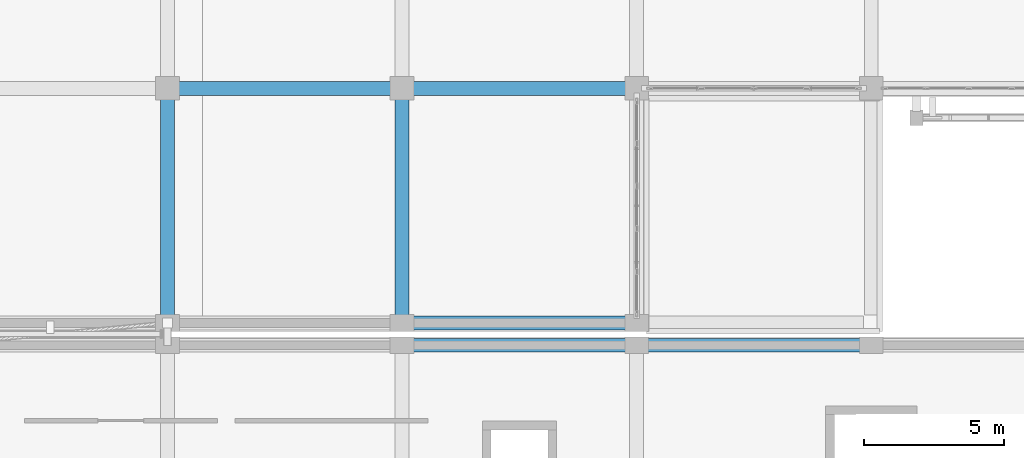
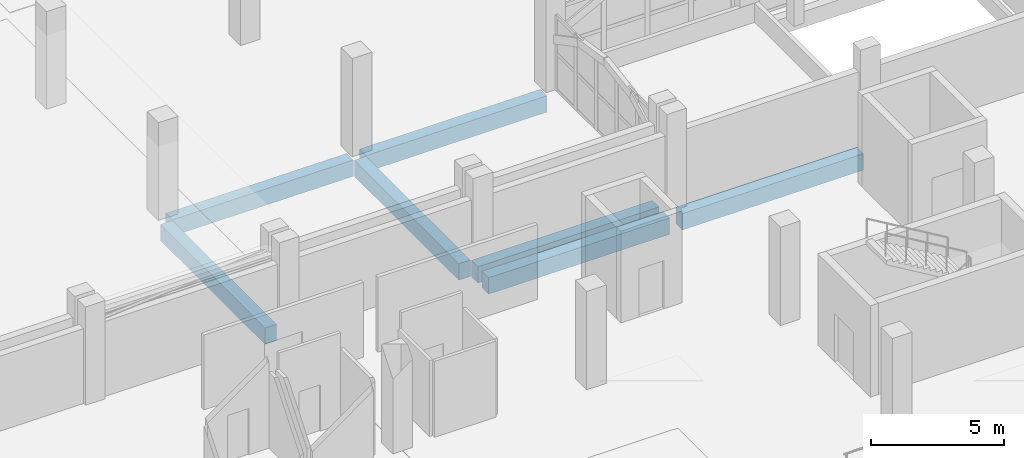
# One storey, part 28 of 137: 7 beams.
"""IFC4 building model written with IfcOpenShell, lengths in metres."""

import ifcopenshell
import ifcopenshell.guid

model = None  # the IFC model being written
_history = None  # IfcOwnerHistory: only IFC2X3 demands one
_inside = {}  # id of a spatial element -> (the spatial element, [elements in it])
_under = {}  # id of a project, library or spatial element -> (it, [spatial elements below it])
_declared = {}  # id of a project -> (the project, [libraries it declares])
_typed = {}  # id of a type object -> (the type object, [elements of that type])
_made_of = {}  # id of a material, layer set ... -> (it, [elements and type objects made of it])


def new_model(schema):
    """Start an empty IFC model of exactly this schema.

    Asked for "IFC4X3", IfcOpenShell would pick the latest addendum, in which some entities
    have other attributes; the version numbers below select the first issue.
    IFC2X3 requires an IfcOwnerHistory on every rooted entity: one is made here for all.
    """
    global model, _history
    if schema == "IFC4X3":
        model = ifcopenshell.file(schema_version=(4, 3, 0, 0))
    else:
        model = ifcopenshell.file(schema=schema)
    _inside.clear()
    _under.clear()
    _declared.clear()
    _typed.clear()
    _made_of.clear()
    _history = None
    if model.schema == "IFC2X3":
        org = make("IfcOrganization", Name="unknown")
        user = make(
            "IfcPersonAndOrganization",
            ThePerson=make("IfcPerson", FamilyName="unknown"),
            TheOrganization=org,
        )
        app = make(
            "IfcApplication",
            ApplicationDeveloper=org,
            Version="unknown",
            ApplicationFullName="unknown",
            ApplicationIdentifier="unknown",
        )
        _history = make(
            "IfcOwnerHistory",
            OwningUser=user,
            OwningApplication=app,
            ChangeAction="ADDED",
            CreationDate=0,
        )
    return model


def make(cls, **values):
    """One entity of the class cls with the attributes given. An attribute that is None is left unset."""
    return model.create_entity(
        cls, **{name: value for name, value in values.items() if value is not None}
    )


def rooted(cls, **values):
    """An entity with a GlobalId (a new one), such as an element, a storey or a relation."""
    return make(cls, GlobalId=ifcopenshell.guid.new(), OwnerHistory=_history, **values)


def si_unit(unit_type, name, prefix=None):
    """IfcSIUnit, for example si_unit("LENGTHUNIT", "METRE", prefix="MILLI")."""
    return make("IfcSIUnit", UnitType=unit_type, Prefix=prefix, Name=name)


def assignment(units):
    """IfcUnitAssignment: the units of a project."""
    return None if units is None else make("IfcUnitAssignment", Units=units)


def point(xyz):
    """IfcCartesianPoint."""
    return None if xyz is None else make("IfcCartesianPoint", Coordinates=xyz)


def direction(xyz):
    """IfcDirection."""
    return None if xyz is None else make("IfcDirection", DirectionRatios=xyz)


def frame(location, z_axis=None, x_axis=None):
    """IfcAxis2Placement3D, a coordinate frame: its origin and axes. An axis left out is left unset."""
    return make(
        "IfcAxis2Placement3D",
        Location=point(location),
        Axis=direction(z_axis),
        RefDirection=direction(x_axis),
    )


def frame_2d(location, x_axis=None):
    """IfcAxis2Placement2D, a coordinate frame in the plane: its origin and x axis."""
    return make(
        "IfcAxis2Placement2D", Location=point(location), RefDirection=direction(x_axis)
    )


def origin():
    """The frame at (0, 0, 0) with its axes left unset."""
    return frame((0.0, 0.0, 0.0))


def origin_2d():
    """The frame at (0, 0) in the plane with its x axis left unset."""
    return frame_2d((0.0, 0.0))


def place(relative_to, where):
    """IfcLocalPlacement: puts the frame where relative to a parent placement (None: the world)."""
    return make(
        "IfcLocalPlacement", PlacementRelTo=relative_to, RelativePlacement=where
    )


def context(
    kind, dimensions, precision=None, world=None, true_north=None, identifier=None
):
    """IfcGeometricRepresentationContext, for example the 3D "Model" context."""
    return make(
        "IfcGeometricRepresentationContext",
        ContextIdentifier=identifier,
        ContextType=kind,
        CoordinateSpaceDimension=dimensions,
        Precision=precision,
        WorldCoordinateSystem=world,
        TrueNorth=true_north,
    )


def subcontext(parent, identifier, kind, view, scale=None):
    """IfcGeometricRepresentationSubContext, for example "Body" below "Model"."""
    return make(
        "IfcGeometricRepresentationSubContext",
        ContextIdentifier=identifier,
        ContextType=kind,
        ParentContext=parent,
        TargetScale=scale,
        TargetView=view,
    )


def project(units=None, contexts=None):
    """IfcProject with its units and contexts."""
    return rooted(
        "IfcProject",
        Name="project",
        RepresentationContexts=contexts,
        UnitsInContext=assignment(units),
    )


def spatial(cls, under=None, at=None, **own):
    """A site, building, storey or space (cls), placed at a placement, below another one or the project."""
    s = rooted(cls, ObjectPlacement=at, **own)
    if under is not None:
        _under.setdefault(under.id(), (under, []))[1].append(s)
    return s


def profile(cls, at=None, kind="AREA", **sizes):
    """A parametric profile (cls). Its sizes go by their IFC names, for example OverallWidth=200.0."""
    return make(cls, ProfileType=kind, Position=at, **sizes)


def rectangle(**sizes):
    """IfcRectangleProfileDef."""
    return profile("IfcRectangleProfileDef", **sizes)


def extrude(swept, where, along, depth):
    """IfcExtrudedAreaSolid: the profile swept, set in the frame where, extruded along a direction by depth."""
    return make(
        "IfcExtrudedAreaSolid",
        SweptArea=swept,
        Position=where,
        ExtrudedDirection=direction(along),
        Depth=depth,
    )


def shape(context_of_items, identifier, shape_type, items):
    """IfcShapeRepresentation: the items that make up one representation, for example the "Body"."""
    return make(
        "IfcShapeRepresentation",
        ContextOfItems=context_of_items,
        RepresentationIdentifier=identifier,
        RepresentationType=shape_type,
        Items=items,
    )


def material(Name=None, Category=None):
    """IfcMaterial."""
    return make("IfcMaterial", Name=Name, Category=Category)


def material_profile(
    of_material, cross_section, Name=None, Category=None, Priority=None
):
    """IfcMaterialProfile: a cross section and its material."""
    return make(
        "IfcMaterialProfile",
        Name=Name,
        Material=of_material,
        Profile=cross_section,
        Priority=Priority,
        Category=Category,
    )


def profile_set(profiles, Name=None, composite=None):
    """IfcMaterialProfileSet."""
    return make(
        "IfcMaterialProfileSet",
        Name=Name,
        MaterialProfiles=profiles,
        CompositeProfile=composite,
    )


def made_of(thing, what):
    """Note that an element or type object is made of a material, layer set ...; save() writes the relation."""
    if what is not None:
        _made_of.setdefault(what.id(), (what, []))[1].append(thing)
    return thing


def type_object(cls, material=None, **own):
    """A type object (cls), such as IfcWallType, which elements share."""
    return made_of(rooted(cls, **own), material)


def element(
    cls,
    number,
    at=None,
    inside=None,
    cuts=None,
    type_object=None,
    material=None,
    context=None,
    identifier="Body",
    shape_type=None,
    held_by="IfcProductDefinitionShape",
    body=None,
    shapes=None,
    **own,
):
    """One element of the class cls, such as IfcWall. Its Tag is "e" and its number.

    at: its placement. inside: the storey or other place that contains it. cuts: it is an
    opening in that element (IfcRelVoidsElement). A single representation is given by context,
    identifier, shape_type and body (its items); several are given by shapes. held_by: the class
    of the entity that holds the representations. save() writes the other relations.
    """
    e = rooted(cls, Tag="e%d" % number, ObjectPlacement=at, **own)
    if body is not None:
        shapes = [shape(context, identifier, shape_type, body)]
    if shapes is not None:
        e.Representation = make(held_by, Representations=shapes)
    if inside is not None:
        _inside.setdefault(inside.id(), (inside, []))[1].append(e)
    if cuts is not None:
        rooted(
            "IfcRelVoidsElement", RelatingBuildingElement=cuts, RelatedOpeningElement=e
        )
    if type_object is not None:
        _typed.setdefault(type_object.id(), (type_object, []))[1].append(e)
    return made_of(e, material)


def aggregate(whole, parts):
    """IfcRelAggregates: a whole, such as a stair, and the parts it consists of."""
    return rooted("IfcRelAggregates", RelatingObject=whole, RelatedObjects=parts)


def save(model, path):
    """Write the relations noted so far, then the file.

    IfcRelAggregates (storeys below a building ...), IfcRelContainedInSpatialStructure (elements
    in a storey), IfcRelDefinesByType, IfcRelAssociatesMaterial and IfcRelDeclares: one each for
    every whole, place, type object, material and project.
    """
    for whole, parts in _under.values():
        aggregate(whole, parts)
    for where, things in _inside.values():
        rooted(
            "IfcRelContainedInSpatialStructure",
            RelatedElements=things,
            RelatingStructure=where,
        )
    for kind, things in _typed.values():
        rooted("IfcRelDefinesByType", RelatedObjects=things, RelatingType=kind)
    for what, things in _made_of.values():
        rooted("IfcRelAssociatesMaterial", RelatedObjects=things, RelatingMaterial=what)
    for by, libraries in _declared.values():
        rooted("IfcRelDeclares", RelatingContext=by, RelatedDefinitions=libraries)
    model.write(path)


model = new_model("IFC4")

# Units and contexts
model_context = context("Model", 3, precision=1e-05, world=origin(), true_north=direction((0.0, 1.0)))
body_context = subcontext(model_context, "Body", "Model", "MODEL_VIEW")
ifc_project = project(units=[si_unit("LENGTHUNIT", "METRE"), si_unit("AREAUNIT", "SQUARE_METRE"), si_unit("VOLUMEUNIT", "CUBIC_METRE"), si_unit("PLANEANGLEUNIT", "RADIAN"), si_unit("MASSUNIT", "GRAM", prefix="KILO")], contexts=[model_context])

# Site, building, storey
site_placement = place(None, origin())
site = spatial("IfcSite", under=ifc_project, at=site_placement, CompositionType="ELEMENT")
building_placement = place(site_placement, origin())
building = spatial("IfcBuilding", under=site, at=building_placement, Name="Xazarin Passage Department Store", CompositionType="ELEMENT")
storey_placement = place(building_placement, frame((0.0, 0.0, 5.39990234375)))
storey = spatial("IfcBuildingStorey", under=building, at=storey_placement, Name="L01", CompositionType="ELEMENT", Elevation=5.39990234375)

# Beams
ifc_material = material(Name="Concrete C35/45", Category="concrete")
ifc_material_profile = material_profile(ifc_material, rectangle(XDim=0.5, YDim=0.75, at=origin_2d()), Name="RC 500x750")
ifc_profile_set = profile_set([ifc_material_profile], Name="Concrete C35/45")
beam_type = type_object("IfcBeamType", Name="STR-BM-SP500x750", PredefinedType="SPANDREL", material=ifc_profile_set)
for number, where, z_axis, x_axis, name in (
    (1, (42.280029296875, 51.199951171875, -0.6748046875), (1.0, 0.0, 0.0), (0.0, 1.0, 0.0), "L01 Grid Beam H/6-7"),
    (2, (33.8798828125, 59.60009765625, -0.6748046875), (1.0, 0.0, 0.0), (0.0, 1.0, 0.0), "L01 Grid Beam J/5-6"),
    (3, (42.280029296875, 59.60009765625, -0.6748046875), (1.0, 0.0, 0.0), (0.0, 1.0, 0.0), "L01 Grid Beam J/6-7"),
    (4, (33.60009765625, 51.47998046875, -0.6748046875), (0.0, 1.0, 0.0), (-1.0, 0.0, 0.0), "L01 Grid Beam 5/H-J"),
    (5, (42.0, 51.47998046875, -0.6748046875), (0.0, 1.0, 0.0), (-1.0, 0.0, 0.0), "L01 Grid Beam 6/H-J"),
    (6, (42.280029296875, 50.39990234375, -0.69482421875), (1.0, 0.0, 0.0), (0.0, 1.0, 0.0), "L01 Grid Beam G/6-7"),
    (7, (50.679931640625, 50.39990234375, -0.69482421875), (1.0, 0.0, 0.0), (0.0, 1.0, 0.0), "L01 Grid Beam G/7-8"),
):
    element("IfcBeam", number, at=place(storey_placement, frame(where, z_axis=z_axis, x_axis=x_axis)), inside=storey, type_object=beam_type, Name=name, PredefinedType="SPANDREL", context=body_context, shape_type="SweptSolid", body=[
        extrude(rectangle(XDim=0.5, YDim=0.75, at=origin_2d()), origin(), (0.0, 0.0, 1.0), 7.840087890625),
    ])

save(model, "model.ifc")
